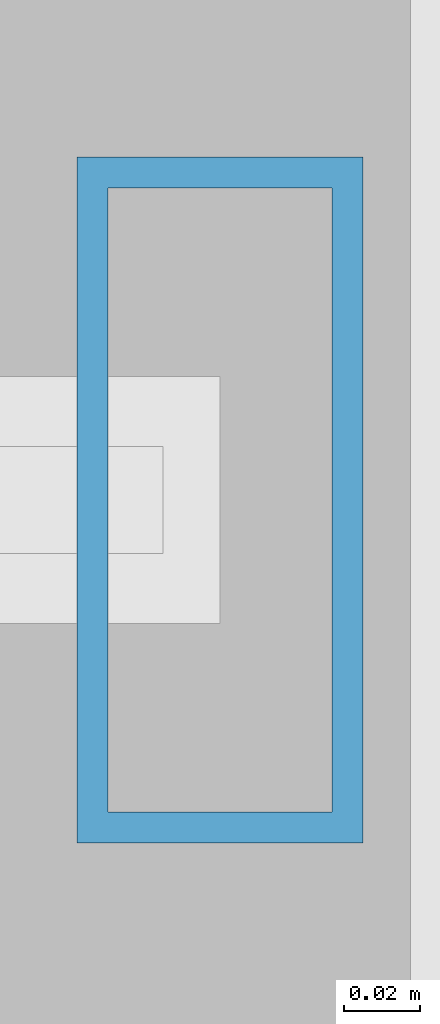
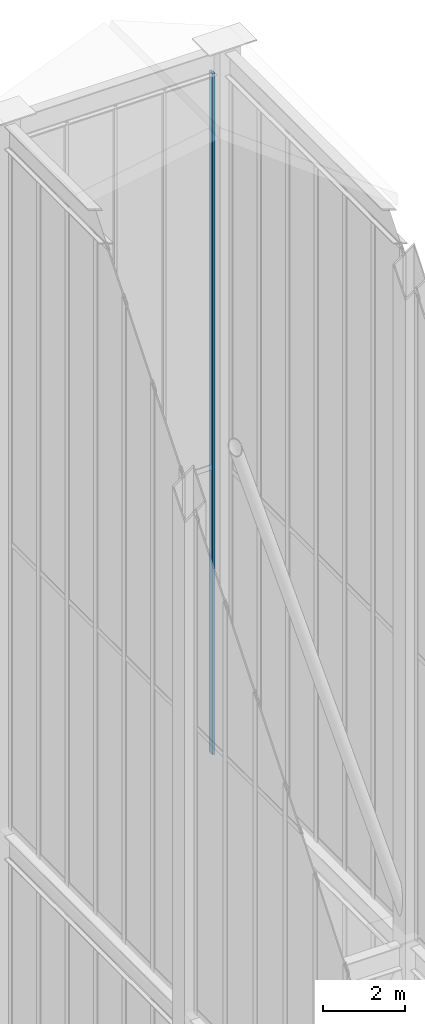
# One storey, part 120 of 135: 1 member, 1 element without a shape of its own.
"""IFC4 building model written with IfcOpenShell, lengths in metres."""

import ifcopenshell
import ifcopenshell.guid

model = None  # the IFC model being written
_history = None  # IfcOwnerHistory: only IFC2X3 demands one
_inside = {}  # id of a spatial element -> (the spatial element, [elements in it])
_under = {}  # id of a project, library or spatial element -> (it, [spatial elements below it])
_declared = {}  # id of a project -> (the project, [libraries it declares])
_typed = {}  # id of a type object -> (the type object, [elements of that type])
_made_of = {}  # id of a material, layer set ... -> (it, [elements and type objects made of it])


def new_model(schema):
    """Start an empty IFC model of exactly this schema.

    Asked for "IFC4X3", IfcOpenShell would pick the latest addendum, in which some entities
    have other attributes; the version numbers below select the first issue.
    IFC2X3 requires an IfcOwnerHistory on every rooted entity: one is made here for all.
    """
    global model, _history
    if schema == "IFC4X3":
        model = ifcopenshell.file(schema_version=(4, 3, 0, 0))
    else:
        model = ifcopenshell.file(schema=schema)
    _inside.clear()
    _under.clear()
    _declared.clear()
    _typed.clear()
    _made_of.clear()
    _history = None
    if model.schema == "IFC2X3":
        org = make("IfcOrganization", Name="unknown")
        user = make(
            "IfcPersonAndOrganization",
            ThePerson=make("IfcPerson", FamilyName="unknown"),
            TheOrganization=org,
        )
        app = make(
            "IfcApplication",
            ApplicationDeveloper=org,
            Version="unknown",
            ApplicationFullName="unknown",
            ApplicationIdentifier="unknown",
        )
        _history = make(
            "IfcOwnerHistory",
            OwningUser=user,
            OwningApplication=app,
            ChangeAction="ADDED",
            CreationDate=0,
        )
    return model


def make(cls, **values):
    """One entity of the class cls with the attributes given. An attribute that is None is left unset."""
    return model.create_entity(
        cls, **{name: value for name, value in values.items() if value is not None}
    )


def rooted(cls, **values):
    """An entity with a GlobalId (a new one), such as an element, a storey or a relation."""
    return make(cls, GlobalId=ifcopenshell.guid.new(), OwnerHistory=_history, **values)


def si_unit(unit_type, name, prefix=None):
    """IfcSIUnit, for example si_unit("LENGTHUNIT", "METRE", prefix="MILLI")."""
    return make("IfcSIUnit", UnitType=unit_type, Prefix=prefix, Name=name)


def assignment(units):
    """IfcUnitAssignment: the units of a project."""
    return None if units is None else make("IfcUnitAssignment", Units=units)


def point(xyz):
    """IfcCartesianPoint."""
    return None if xyz is None else make("IfcCartesianPoint", Coordinates=xyz)


def direction(xyz):
    """IfcDirection."""
    return None if xyz is None else make("IfcDirection", DirectionRatios=xyz)


def frame(location, z_axis=None, x_axis=None):
    """IfcAxis2Placement3D, a coordinate frame: its origin and axes. An axis left out is left unset."""
    return make(
        "IfcAxis2Placement3D",
        Location=point(location),
        Axis=direction(z_axis),
        RefDirection=direction(x_axis),
    )


def frame_2d(location, x_axis=None):
    """IfcAxis2Placement2D, a coordinate frame in the plane: its origin and x axis."""
    return make(
        "IfcAxis2Placement2D", Location=point(location), RefDirection=direction(x_axis)
    )


def origin():
    """The frame at (0, 0, 0) with its axes left unset."""
    return frame((0.0, 0.0, 0.0))


def origin_2d():
    """The frame at (0, 0) in the plane with its x axis left unset."""
    return frame_2d((0.0, 0.0))


def place(relative_to, where):
    """IfcLocalPlacement: puts the frame where relative to a parent placement (None: the world)."""
    return make(
        "IfcLocalPlacement", PlacementRelTo=relative_to, RelativePlacement=where
    )


def context(
    kind, dimensions, precision=None, world=None, true_north=None, identifier=None
):
    """IfcGeometricRepresentationContext, for example the 3D "Model" context."""
    return make(
        "IfcGeometricRepresentationContext",
        ContextIdentifier=identifier,
        ContextType=kind,
        CoordinateSpaceDimension=dimensions,
        Precision=precision,
        WorldCoordinateSystem=world,
        TrueNorth=true_north,
    )


def subcontext(parent, identifier, kind, view, scale=None):
    """IfcGeometricRepresentationSubContext, for example "Body" below "Model"."""
    return make(
        "IfcGeometricRepresentationSubContext",
        ContextIdentifier=identifier,
        ContextType=kind,
        ParentContext=parent,
        TargetScale=scale,
        TargetView=view,
    )


def project(units=None, contexts=None):
    """IfcProject with its units and contexts."""
    return rooted(
        "IfcProject",
        Name="project",
        RepresentationContexts=contexts,
        UnitsInContext=assignment(units),
    )


def spatial(cls, under=None, at=None, **own):
    """A site, building, storey or space (cls), placed at a placement, below another one or the project."""
    s = rooted(cls, ObjectPlacement=at, **own)
    if under is not None:
        _under.setdefault(under.id(), (under, []))[1].append(s)
    return s


def profile(cls, at=None, kind="AREA", **sizes):
    """A parametric profile (cls). Its sizes go by their IFC names, for example OverallWidth=200.0."""
    return make(cls, ProfileType=kind, Position=at, **sizes)


def hollow_rectangle(**sizes):
    """IfcRectangleHollowProfileDef."""
    return profile("IfcRectangleHollowProfileDef", **sizes)


def extrude(swept, where, along, depth):
    """IfcExtrudedAreaSolid: the profile swept, set in the frame where, extruded along a direction by depth."""
    return make(
        "IfcExtrudedAreaSolid",
        SweptArea=swept,
        Position=where,
        ExtrudedDirection=direction(along),
        Depth=depth,
    )


def shape(context_of_items, identifier, shape_type, items):
    """IfcShapeRepresentation: the items that make up one representation, for example the "Body"."""
    return make(
        "IfcShapeRepresentation",
        ContextOfItems=context_of_items,
        RepresentationIdentifier=identifier,
        RepresentationType=shape_type,
        Items=items,
    )


def source(mapping_origin, context_of_items, identifier, shape_type, items):
    """IfcRepresentationMap: a shape defined once, which mapped items show again and again."""
    return make(
        "IfcRepresentationMap",
        MappingOrigin=mapping_origin,
        MappedRepresentation=shape(context_of_items, identifier, shape_type, items),
    )


def transform(
    local_origin,
    x_axis=None,
    y_axis=None,
    z_axis=None,
    scale=None,
    scale2=None,
    scale3=None,
    uniform=True,
):
    """IfcCartesianTransformationOperator3D, or its non-uniform kind. x_axis, y_axis, z_axis: its Axis1, 2, 3."""
    if uniform:
        return make(
            "IfcCartesianTransformationOperator3D",
            Axis1=direction(x_axis),
            Axis2=direction(y_axis),
            LocalOrigin=point(local_origin),
            Scale=scale,
            Axis3=direction(z_axis),
        )
    return make(
        "IfcCartesianTransformationOperator3DnonUniform",
        Axis1=direction(x_axis),
        Axis2=direction(y_axis),
        LocalOrigin=point(local_origin),
        Scale=scale,
        Axis3=direction(z_axis),
        Scale2=scale2,
        Scale3=scale3,
    )


def mapped(mapping_source, mapping_target):
    """IfcMappedItem: shows the shape of a source again, moved by a transform."""
    return make(
        "IfcMappedItem", MappingSource=mapping_source, MappingTarget=mapping_target
    )


def material(Name=None, Category=None):
    """IfcMaterial."""
    return make("IfcMaterial", Name=Name, Category=Category)


def layer(
    of_material, thickness, ventilated=None, Name=None, Category=None, Priority=None
):
    """IfcMaterialLayer: one layer of a wall or slab, of a material (None: an air gap)."""
    return make(
        "IfcMaterialLayer",
        Material=of_material,
        LayerThickness=thickness,
        IsVentilated=ventilated,
        Name=Name,
        Category=Category,
        Priority=Priority,
    )


def layer_set(layers, Name=None):
    """IfcMaterialLayerSet."""
    return make("IfcMaterialLayerSet", MaterialLayers=layers, LayerSetName=Name)


def material_profile(
    of_material, cross_section, Name=None, Category=None, Priority=None
):
    """IfcMaterialProfile: a cross section and its material."""
    return make(
        "IfcMaterialProfile",
        Name=Name,
        Material=of_material,
        Profile=cross_section,
        Priority=Priority,
        Category=Category,
    )


def profile_set(profiles, Name=None, composite=None):
    """IfcMaterialProfileSet."""
    return make(
        "IfcMaterialProfileSet",
        Name=Name,
        MaterialProfiles=profiles,
        CompositeProfile=composite,
    )


def made_of(thing, what):
    """Note that an element or type object is made of a material, layer set ...; save() writes the relation."""
    if what is not None:
        _made_of.setdefault(what.id(), (what, []))[1].append(thing)
    return thing


def type_object(cls, material=None, **own):
    """A type object (cls), such as IfcWallType, which elements share."""
    return made_of(rooted(cls, **own), material)


def element(
    cls,
    number,
    at=None,
    inside=None,
    cuts=None,
    type_object=None,
    material=None,
    context=None,
    identifier="Body",
    shape_type=None,
    held_by="IfcProductDefinitionShape",
    body=None,
    shapes=None,
    **own,
):
    """One element of the class cls, such as IfcWall. Its Tag is "e" and its number.

    at: its placement. inside: the storey or other place that contains it. cuts: it is an
    opening in that element (IfcRelVoidsElement). A single representation is given by context,
    identifier, shape_type and body (its items); several are given by shapes. held_by: the class
    of the entity that holds the representations. save() writes the other relations.
    """
    e = rooted(cls, Tag="e%d" % number, ObjectPlacement=at, **own)
    if body is not None:
        shapes = [shape(context, identifier, shape_type, body)]
    if shapes is not None:
        e.Representation = make(held_by, Representations=shapes)
    if inside is not None:
        _inside.setdefault(inside.id(), (inside, []))[1].append(e)
    if cuts is not None:
        rooted(
            "IfcRelVoidsElement", RelatingBuildingElement=cuts, RelatedOpeningElement=e
        )
    if type_object is not None:
        _typed.setdefault(type_object.id(), (type_object, []))[1].append(e)
    return made_of(e, material)


def aggregate(whole, parts):
    """IfcRelAggregates: a whole, such as a stair, and the parts it consists of."""
    return rooted("IfcRelAggregates", RelatingObject=whole, RelatedObjects=parts)


def save(model, path):
    """Write the relations noted so far, then the file.

    IfcRelAggregates (storeys below a building ...), IfcRelContainedInSpatialStructure (elements
    in a storey), IfcRelDefinesByType, IfcRelAssociatesMaterial and IfcRelDeclares: one each for
    every whole, place, type object, material and project.
    """
    for whole, parts in _under.values():
        aggregate(whole, parts)
    for where, things in _inside.values():
        rooted(
            "IfcRelContainedInSpatialStructure",
            RelatedElements=things,
            RelatingStructure=where,
        )
    for kind, things in _typed.values():
        rooted("IfcRelDefinesByType", RelatedObjects=things, RelatingType=kind)
    for what, things in _made_of.values():
        rooted("IfcRelAssociatesMaterial", RelatedObjects=things, RelatingMaterial=what)
    for by, libraries in _declared.values():
        rooted("IfcRelDeclares", RelatingContext=by, RelatedDefinitions=libraries)
    model.write(path)


model = new_model("IFC4")

# Units and contexts
model_context = context("Model", 3, precision=1e-05, world=origin(), true_north=direction((0.0, 1.0)))
body_context = subcontext(model_context, "Body", "Model", "MODEL_VIEW")
ifc_project = project(units=[si_unit("LENGTHUNIT", "METRE"), si_unit("AREAUNIT", "SQUARE_METRE"), si_unit("VOLUMEUNIT", "CUBIC_METRE"), si_unit("PLANEANGLEUNIT", "RADIAN"), si_unit("MASSUNIT", "GRAM", prefix="KILO")], contexts=[model_context])

# Site, building, storey
site_placement = place(None, origin())
site = spatial("IfcSite", under=ifc_project, at=site_placement, CompositionType="ELEMENT")
building_placement = place(site_placement, origin())
building = spatial("IfcBuilding", under=site, at=building_placement, Name="Giltprow Tower", CompositionType="ELEMENT")
storey_placement = place(building_placement, frame((0.0, 0.0, 352.699951171875)))
storey = spatial("IfcBuildingStorey", under=building, at=storey_placement, Name="L92", CompositionType="ELEMENT", Elevation=352.699951171875)

# Curtain wall, member
ifc_material = material(Name="Anodized bronze", Category="metal")
ifc_layer = layer(ifc_material, 0.179931640625, Name="Anodized bronze")
ifc_layer_set = layer_set([ifc_layer], Name="Anodized bronze")
curtain_wall_type = type_object("IfcCurtainWallType", Name="CW-CROWN-LANTERN", PredefinedType="NOTDEFINED", material=ifc_layer_set)
curtain_wall_placement = place(storey_placement, origin())
curtain_wall = element("IfcCurtainWall", 1, at=curtain_wall_placement, inside=storey, type_object=curtain_wall_type, Name="Crown East Upper Lantern Glazing 4", PredefinedType="NOTDEFINED")
ifc_material_profile = material_profile(ifc_material, hollow_rectangle(XDim=0.074951171875, YDim=0.179931640625, WallThickness=0.008056640625, at=origin_2d()), Name="RHS 180x75x8")
ifc_profile_set = profile_set([ifc_material_profile], Name="Anodized bronze")
member_type = type_object("IfcMemberType", Name="CW-MULLION-180x75", PredefinedType="MULLION", material=ifc_profile_set)
shared_shape = source(origin(), body_context, "Body", "SweptSolid", [
    extrude(hollow_rectangle(XDim=0.074951171875, YDim=0.179931640625, WallThickness=0.008056640625, at=origin_2d()), origin(), (0.0, 0.0, 1.0), 20.406005859375),
])
member_placement = place(storey_placement, frame((50.199951171875, 46.550048828125, 17.25), z_axis=(0.0, 0.0, 1.0), x_axis=(1.0, 0.0, 0.0)))
member = element("IfcMember", 2, at=member_placement, type_object=member_type, Name="Crown East Upper Lantern Glazing 4 Mullion 1", PredefinedType="MULLION", context=body_context, shape_type="MappedRepresentation", body=[
    mapped(shared_shape, transform((0.0, 0.0, 0.0), x_axis=(1.0, 0.0, 0.0), y_axis=(0.0, 1.0, 0.0), z_axis=(0.0, 0.0, 1.0), scale=1.0)),
])
aggregate(curtain_wall, [member])

save(model, "model.ifc")
